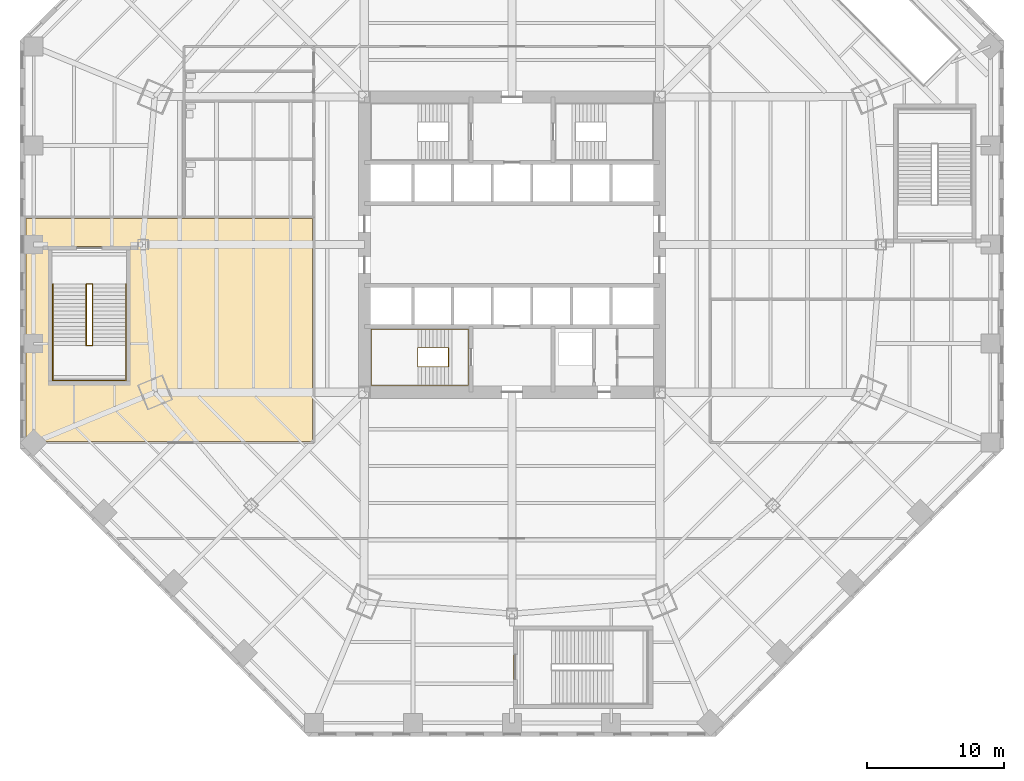
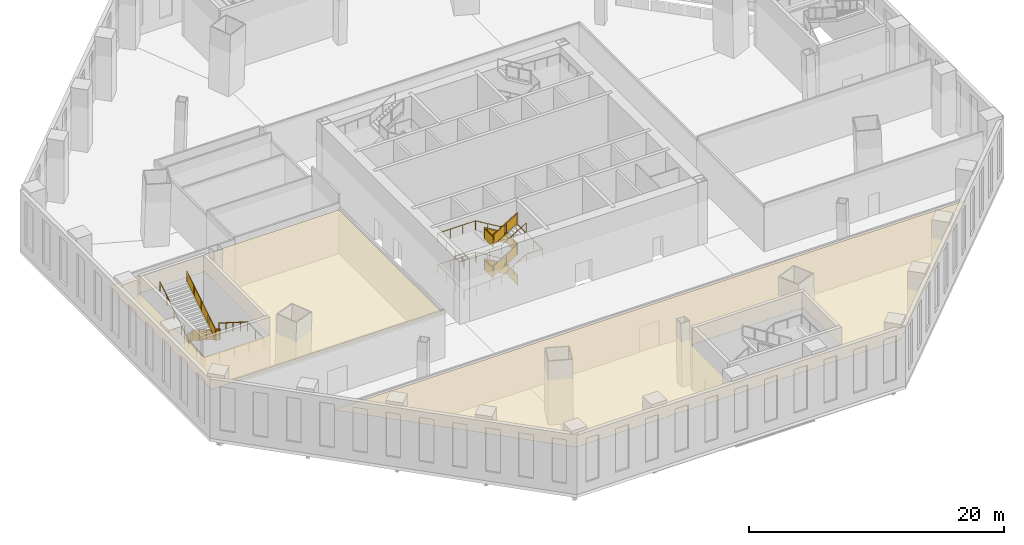
# One storey, part 15 of 20: 4 railings, 2 coverings.
"""IFC4 building model written with IfcOpenShell, lengths in metres."""

from ifc_helpers import new_model, si_unit, direction, frame, origin, origin_2d, place, context, subcontext, project, spatial, polyline, circle, outline, extrude, material, layer, layer_set, type_object, element, save


model = new_model("IFC4")

# Units and contexts
model_context = context("Model", 3, precision=1e-05, world=origin(), true_north=direction((0.0, 1.0)))
body_context = subcontext(model_context, "Body", "Model", "MODEL_VIEW")
ifc_project = project(units=[si_unit("LENGTHUNIT", "METRE"), si_unit("AREAUNIT", "SQUARE_METRE"), si_unit("VOLUMEUNIT", "CUBIC_METRE"), si_unit("PLANEANGLEUNIT", "RADIAN"), si_unit("MASSUNIT", "GRAM", prefix="KILO")], contexts=[model_context])

# Site, building, storey
site_placement = place(None, origin())
site = spatial("IfcSite", under=ifc_project, at=site_placement, CompositionType="ELEMENT")
building_placement = place(site_placement, origin())
building = spatial("IfcBuilding", under=site, at=building_placement, Name="Mashrafa Tower", CompositionType="ELEMENT")
storey_placement = place(building_placement, frame((0.0, 0.0, 7.199951171875)))
storey = spatial("IfcBuildingStorey", under=building, at=storey_placement, Name="L01", CompositionType="ELEMENT", Elevation=7.199951171875)

# Railings
ifc_material_1 = material(Name="Steel guard with glass infill", Category="steel")
railing_type_1 = type_object("IfcRailingType", Name="Stair guard 1100", PredefinedType="GUARDRAIL", material=ifc_material_1)
railing_1_placement = place(storey_placement, frame((-4.64990234375, -8.949951171875, 0.0)))
element("IfcRailing", 1, at=railing_1_placement, inside=storey, type_object=railing_type_1, Name="Stair S3 guard L01", PredefinedType="GUARDRAIL", context=body_context, shape_type="SweptSolid", body=[
    extrude(circle(Radius=0.02392578125, at=origin_2d()), frame((0.0, 0.0, 1.076171875), z_axis=(0.0, 1.0, 0.0), x_axis=(-1.0, 0.0, 0.0)), (0.0, 0.0, 1.0), 1.39990234375),
    extrude(circle(Radius=0.02392578125, at=origin_2d()), frame((0.0, 1.39990234375, 1.076171875), z_axis=(0.0, 0.0, 1.0), x_axis=(1.0, 0.0, 0.0)), (0.0, 0.0, 1.0), 0.166748046875),
    extrude(circle(Radius=0.02392578125, at=origin_2d()), frame((0.0, 1.39990234375, 1.24267578125), z_axis=(-0.859305625298, 0.0, 0.511462454469), x_axis=(0.0, -1.0, 0.0)), (0.0, 0.0, 1.0), 2.606689453125),
    extrude(circle(Radius=0.02392578125, at=origin_2d()), frame((-2.239990234375, 1.39990234375, 2.576171875), z_axis=(0.0, -1.0, 0.0), x_axis=(1.0, 0.0, 0.0)), (0.0, 0.0, 1.0), 1.39990234375),
    extrude(circle(Radius=0.02392578125, at=origin_2d()), frame((-2.239990234375, 0.0, 2.576171875), z_axis=(0.0, 0.0, 1.0), x_axis=(1.0, 0.0, 0.0)), (0.0, 0.0, 1.0), 0.166748046875),
    extrude(circle(Radius=0.02392578125, at=origin_2d()), frame((-2.239990234375, 0.0, 2.74267578125), z_axis=(0.859305625298, 0.0, 0.511462454469), x_axis=(0.0, 1.0, 0.0)), (0.0, 0.0, 1.0), 2.606689453125),
    extrude(circle(Radius=0.02392578125, at=origin_2d()), frame((0.0, 0.0, 4.076171875), z_axis=(0.0, 1.0, 0.0), x_axis=(-1.0, 0.0, 0.0)), (0.0, 0.0, 1.0), 1.39990234375),
    extrude(circle(Radius=0.02392578125, at=origin_2d()), frame((0.0, 1.39990234375, 4.076171875), z_axis=(0.0, 0.0, 1.0), x_axis=(1.0, 0.0, 0.0)), (0.0, 0.0, 1.0), 0.166748046875),
    extrude(circle(Radius=0.02392578125, at=origin_2d()), frame((0.0, 1.39990234375, 4.24267578125), z_axis=(-0.859305625298, 0.0, 0.511462454469), x_axis=(0.0, -1.0, 0.0)), (0.0, 0.0, 1.0), 2.606689453125),
    extrude(circle(Radius=0.02392578125, at=origin_2d()), frame((-2.239990234375, 1.39990234375, 5.576171875), z_axis=(0.0, -1.0, 0.0), x_axis=(1.0, 0.0, 0.0)), (0.0, 0.0, 1.0), 1.39990234375),
    extrude(circle(Radius=0.02392578125, at=origin_2d()), frame((-2.239990234375, 0.0, 5.576171875), z_axis=(0.0, 0.0, 1.0), x_axis=(1.0, 0.0, 0.0)), (0.0, 0.0, 1.0), 0.166748046875),
    extrude(circle(Radius=0.02392578125, at=origin_2d()), frame((-2.239990234375, 0.0, 5.74267578125), z_axis=(0.859305625298, 0.0, 0.511462454469), x_axis=(0.0, 1.0, 0.0)), (0.0, 0.0, 1.0), 2.606689453125),
    extrude(circle(Radius=0.02099609375, at=origin_2d()), origin(), (0.0, 0.0, 1.0), 1.052001953125),
    extrude(circle(Radius=0.02099609375, at=origin_2d()), frame((0.0, 1.39990234375, 0.0)), (0.0, 0.0, 1.0), 1.052001953125),
    extrude(circle(Radius=0.02099609375, at=origin_2d()), frame((0.0, 1.39990234375, 0.166748046875)), (0.0, 0.0, 1.0), 1.052001953125),
    extrude(circle(Radius=0.02099609375, at=origin_2d()), frame((-1.1201171875, 1.39990234375, 0.83349609375)), (0.0, 0.0, 1.0), 1.052001953125),
    extrude(circle(Radius=0.02099609375, at=origin_2d()), frame((-2.239990234375, 1.39990234375, 1.5)), (0.0, 0.0, 1.0), 1.052001953125),
    extrude(circle(Radius=0.02099609375, at=origin_2d()), frame((-2.239990234375, 0.0, 1.5)), (0.0, 0.0, 1.0), 1.052001953125),
    extrude(circle(Radius=0.02099609375, at=origin_2d()), frame((-2.239990234375, 0.0, 1.666748046875)), (0.0, 0.0, 1.0), 1.052001953125),
    extrude(circle(Radius=0.02099609375, at=origin_2d()), frame((-1.1201171875, 0.0, 2.33349609375)), (0.0, 0.0, 1.0), 1.052001953125),
    extrude(circle(Radius=0.02099609375, at=origin_2d()), frame((0.0, 0.0, 3.0)), (0.0, 0.0, 1.0), 1.052001953125),
    extrude(circle(Radius=0.02099609375, at=origin_2d()), frame((0.0, 1.39990234375, 3.0)), (0.0, 0.0, 1.0), 1.052001953125),
    extrude(circle(Radius=0.02099609375, at=origin_2d()), frame((0.0, 1.39990234375, 3.166748046875)), (0.0, 0.0, 1.0), 1.052001953125),
    extrude(circle(Radius=0.02099609375, at=origin_2d()), frame((-1.1201171875, 1.39990234375, 3.83349609375)), (0.0, 0.0, 1.0), 1.052001953125),
    extrude(circle(Radius=0.02099609375, at=origin_2d()), frame((-2.239990234375, 1.39990234375, 4.5)), (0.0, 0.0, 1.0), 1.052001953125),
    extrude(circle(Radius=0.02099609375, at=origin_2d()), frame((-2.239990234375, 0.0, 4.5)), (0.0, 0.0, 1.0), 1.052001953125),
    extrude(circle(Radius=0.02099609375, at=origin_2d()), frame((-2.239990234375, 0.0, 4.666748046875)), (0.0, 0.0, 1.0), 1.052001953125),
    extrude(circle(Radius=0.02099609375, at=origin_2d()), frame((-1.1201171875, 0.0, 5.33349609375)), (0.0, 0.0, 1.0), 1.052001953125),
    extrude(circle(Radius=0.02099609375, at=origin_2d()), frame((0.0, 0.0, 6.0)), (0.0, 0.0, 1.0), 1.052001953125),
    extrude(outline(polyline([(0.071044921875, 0.050048828125), (1.328857421875, 0.050048828125), (1.328857421875, 1.001953125), (0.071044921875, 1.001953125), (0.071044921875, 0.050048828125)])), frame((0.006103515625, 0.0, 0.0), z_axis=(1.0, 0.0, 0.0), x_axis=(0.0, 1.0, 0.0)), (0.0, 0.0, 1.0), 0.011962890625),
    extrude(outline(polyline([(0.071044921875, 0.09228515625), (1.049072265625, 0.67431640625), (1.049072265625, 1.62646484375), (0.071044921875, 1.044189453125), (0.071044921875, 0.09228515625)])), frame((0.0, 1.406005859375, 0.166748046875), z_axis=(0.0, 1.0, 0.0), x_axis=(-1.0, 0.0, 0.0)), (0.0, 0.0, 1.0), 0.011962890625),
    extrude(outline(polyline([(1.19091796875, 0.7587890625), (2.1689453125, 1.341064453125), (2.1689453125, 2.29296875), (1.19091796875, 1.7109375), (1.19091796875, 0.7587890625)])), frame((0.0, 1.406005859375, 0.166748046875), z_axis=(0.0, 1.0, 0.0), x_axis=(-1.0, 0.0, 0.0)), (0.0, 0.0, 1.0), 0.011962890625),
    extrude(outline(polyline([(0.071044921875, 0.050048828125), (1.328857421875, 0.050048828125), (1.328857421875, 1.001953125), (0.071044921875, 1.001953125), (0.071044921875, 0.050048828125)])), frame((-2.24609375, 1.39990234375, 1.5), z_axis=(-1.0, 0.0, 0.0), x_axis=(0.0, -1.0, 0.0)), (0.0, 0.0, 1.0), 0.011962890625),
    extrude(outline(polyline([(0.071044921875, 0.09228515625), (1.049072265625, 0.67431640625), (1.049072265625, 1.62646484375), (0.071044921875, 1.044189453125), (0.071044921875, 0.09228515625)])), frame((-2.239990234375, -0.006103515625, 1.666748046875), z_axis=(0.0, -1.0, 0.0), x_axis=(1.0, 0.0, 0.0)), (0.0, 0.0, 1.0), 0.011962890625),
    extrude(outline(polyline([(1.19091796875, 0.7587890625), (2.1689453125, 1.341064453125), (2.1689453125, 2.29296875), (1.19091796875, 1.7109375), (1.19091796875, 0.7587890625)])), frame((-2.239990234375, -0.006103515625, 1.666748046875), z_axis=(0.0, -1.0, 0.0), x_axis=(1.0, 0.0, 0.0)), (0.0, 0.0, 1.0), 0.011962890625),
    extrude(outline(polyline([(0.071044921875, 0.050048828125), (1.328857421875, 0.050048828125), (1.328857421875, 1.001953125), (0.071044921875, 1.001953125), (0.071044921875, 0.050048828125)])), frame((0.006103515625, 0.0, 3.0), z_axis=(1.0, 0.0, 0.0), x_axis=(0.0, 1.0, 0.0)), (0.0, 0.0, 1.0), 0.011962890625),
    extrude(outline(polyline([(0.071044921875, 0.09228515625), (1.049072265625, 0.67431640625), (1.049072265625, 1.62646484375), (0.071044921875, 1.044189453125), (0.071044921875, 0.09228515625)])), frame((0.0, 1.406005859375, 3.166748046875), z_axis=(0.0, 1.0, 0.0), x_axis=(-1.0, 0.0, 0.0)), (0.0, 0.0, 1.0), 0.011962890625),
    extrude(outline(polyline([(1.19091796875, 0.7587890625), (2.1689453125, 1.341064453125), (2.1689453125, 2.29296875), (1.19091796875, 1.7109375), (1.19091796875, 0.7587890625)])), frame((0.0, 1.406005859375, 3.166748046875), z_axis=(0.0, 1.0, 0.0), x_axis=(-1.0, 0.0, 0.0)), (0.0, 0.0, 1.0), 0.011962890625),
    extrude(outline(polyline([(0.071044921875, 0.050048828125), (1.328857421875, 0.050048828125), (1.328857421875, 1.001953125), (0.071044921875, 1.001953125), (0.071044921875, 0.050048828125)])), frame((-2.24609375, 1.39990234375, 4.5), z_axis=(-1.0, 0.0, 0.0), x_axis=(0.0, -1.0, 0.0)), (0.0, 0.0, 1.0), 0.011962890625),
    extrude(outline(polyline([(0.071044921875, 0.09228515625), (1.049072265625, 0.67431640625), (1.049072265625, 1.62646484375), (0.071044921875, 1.044189453125), (0.071044921875, 0.09228515625)])), frame((-2.239990234375, -0.006103515625, 4.666748046875), z_axis=(0.0, -1.0, 0.0), x_axis=(1.0, 0.0, 0.0)), (0.0, 0.0, 1.0), 0.011962890625),
    extrude(outline(polyline([(1.19091796875, 0.7587890625), (2.1689453125, 1.341064453125), (2.1689453125, 2.29296875), (1.19091796875, 1.7109375), (1.19091796875, 0.7587890625)])), frame((-2.239990234375, -0.006103515625, 4.666748046875), z_axis=(0.0, -1.0, 0.0), x_axis=(1.0, 0.0, 0.0)), (0.0, 0.0, 1.0), 0.011962890625),
])
railing_2_placement = place(storey_placement, frame((-31.14990234375, -2.89990234375, 0.0)))
element("IfcRailing", 2, at=railing_2_placement, inside=storey, type_object=railing_type_1, Name="Stair P3 guard L01", PredefinedType="GUARDRAIL", context=body_context, shape_type="SweptSolid", body=[
    extrude(circle(Radius=0.02392578125, at=origin_2d()), frame((0.0, 0.0, 1.076171875), z_axis=(1.0, 0.0, 0.0), x_axis=(0.0, 1.0, 0.0)), (0.0, 0.0, 1.0), 0.449951171875),
    extrude(circle(Radius=0.02392578125, at=origin_2d()), frame((0.449951171875, 0.0, 1.076171875), z_axis=(0.0, 0.0, 1.0), x_axis=(1.0, 0.0, 0.0)), (0.0, 0.0, 1.0), 0.176513671875),
    extrude(circle(Radius=0.02392578125, at=origin_2d()), frame((0.449951171875, 0.0, 1.25244140625), z_axis=(0.0, -0.845997938375, 0.533186166611), x_axis=(1.0, 0.0, 0.0)), (0.0, 0.0, 1.0), 5.29541015625),
    extrude(circle(Radius=0.02392578125, at=origin_2d()), frame((0.449951171875, -4.47998046875, 4.076171875), z_axis=(-1.0, 0.0, 0.0), x_axis=(0.0, -1.0, 0.0)), (0.0, 0.0, 1.0), 0.449951171875),
    extrude(circle(Radius=0.02392578125, at=origin_2d()), frame((0.0, -4.47998046875, 4.076171875), z_axis=(0.0, 0.0, 1.0), x_axis=(1.0, 0.0, 0.0)), (0.0, 0.0, 1.0), 0.176513671875),
    extrude(circle(Radius=0.02392578125, at=origin_2d()), frame((0.0, -4.47998046875, 4.25244140625), z_axis=(0.0, 0.845997938375, 0.533186166611), x_axis=(-1.0, 0.0, 0.0)), (0.0, 0.0, 1.0), 5.29541015625),
    extrude(circle(Radius=0.02099609375, at=origin_2d()), origin(), (0.0, 0.0, 1.0), 1.052001953125),
    extrude(circle(Radius=0.02099609375, at=origin_2d()), frame((0.449951171875, 0.0, 0.0)), (0.0, 0.0, 1.0), 1.052001953125),
    extrude(circle(Radius=0.02099609375, at=origin_2d()), frame((0.449951171875, 0.0, 0.176513671875)), (0.0, 0.0, 1.0), 1.052001953125),
    extrude(circle(Radius=0.02099609375, at=origin_2d()), frame((0.449951171875, -1.1201171875, 0.88232421875)), (0.0, 0.0, 1.0), 1.052001953125),
    extrude(circle(Radius=0.02099609375, at=origin_2d()), frame((0.449951171875, -2.239990234375, 1.58837890625)), (0.0, 0.0, 1.0), 1.052001953125),
    extrude(circle(Radius=0.02099609375, at=origin_2d()), frame((0.449951171875, -3.35986328125, 2.294189453125)), (0.0, 0.0, 1.0), 1.052001953125),
    extrude(circle(Radius=0.02099609375, at=origin_2d()), frame((0.449951171875, -4.47998046875, 3.0)), (0.0, 0.0, 1.0), 1.052001953125),
    extrude(circle(Radius=0.02099609375, at=origin_2d()), frame((0.0, -4.47998046875, 3.0)), (0.0, 0.0, 1.0), 1.052001953125),
    extrude(circle(Radius=0.02099609375, at=origin_2d()), frame((0.0, -4.47998046875, 3.176513671875)), (0.0, 0.0, 1.0), 1.052001953125),
    extrude(circle(Radius=0.02099609375, at=origin_2d()), frame((0.0, -3.35986328125, 3.88232421875)), (0.0, 0.0, 1.0), 1.052001953125),
    extrude(circle(Radius=0.02099609375, at=origin_2d()), frame((0.0, -2.239990234375, 4.58837890625)), (0.0, 0.0, 1.0), 1.052001953125),
    extrude(circle(Radius=0.02099609375, at=origin_2d()), frame((0.0, -1.1201171875, 5.294189453125)), (0.0, 0.0, 1.0), 1.052001953125),
    extrude(circle(Radius=0.02099609375, at=origin_2d()), frame((0.0, 0.0, 6.0)), (0.0, 0.0, 1.0), 1.052001953125),
    extrude(outline(polyline([(0.071044921875, 0.050048828125), (0.37890625, 0.050048828125), (0.37890625, 1.001953125), (0.071044921875, 1.001953125), (0.071044921875, 0.050048828125)])), frame((0.0, -0.006103515625, 0.0), z_axis=(0.0, -1.0, 0.0), x_axis=(1.0, 0.0, 0.0)), (0.0, 0.0, 1.0), 0.011962890625),
    extrude(outline(polyline([(0.071044921875, 0.0947265625), (1.049072265625, 0.711181640625), (1.049072265625, 1.6630859375), (0.071044921875, 1.046630859375), (0.071044921875, 0.0947265625)])), frame((0.44384765625, 0.0, 0.176513671875), z_axis=(-1.0, 0.0, 0.0), x_axis=(0.0, -1.0, 0.0)), (0.0, 0.0, 1.0), 0.011962890625),
    extrude(outline(polyline([(1.19091796875, 0.800537109375), (2.1689453125, 1.4169921875), (2.1689453125, 2.368896484375), (1.19091796875, 1.752685546875), (1.19091796875, 0.800537109375)])), frame((0.44384765625, 0.0, 0.176513671875), z_axis=(-1.0, 0.0, 0.0), x_axis=(0.0, -1.0, 0.0)), (0.0, 0.0, 1.0), 0.011962890625),
    extrude(outline(polyline([(2.31103515625, 1.506591796875), (3.2890625, 2.122802734375), (3.2890625, 3.074951171875), (2.31103515625, 2.45849609375), (2.31103515625, 1.506591796875)])), frame((0.44384765625, 0.0, 0.176513671875), z_axis=(-1.0, 0.0, 0.0), x_axis=(0.0, -1.0, 0.0)), (0.0, 0.0, 1.0), 0.011962890625),
    extrude(outline(polyline([(3.430908203125, 2.21240234375), (4.408935546875, 2.828857421875), (4.408935546875, 3.78076171875), (3.430908203125, 3.164306640625), (3.430908203125, 2.21240234375)])), frame((0.44384765625, 0.0, 0.176513671875), z_axis=(-1.0, 0.0, 0.0), x_axis=(0.0, -1.0, 0.0)), (0.0, 0.0, 1.0), 0.011962890625),
    extrude(outline(polyline([(0.071044921875, 0.050048828125), (0.37890625, 0.050048828125), (0.37890625, 1.001953125), (0.071044921875, 1.001953125), (0.071044921875, 0.050048828125)])), frame((0.449951171875, -4.473876953125, 3.0), z_axis=(0.0, 1.0, 0.0), x_axis=(-1.0, 0.0, 0.0)), (0.0, 0.0, 1.0), 0.011962890625),
    extrude(outline(polyline([(0.071044921875, 0.0947265625), (1.049072265625, 0.711181640625), (1.049072265625, 1.6630859375), (0.071044921875, 1.046630859375), (0.071044921875, 0.0947265625)])), frame((0.006103515625, -4.47998046875, 3.176513671875), z_axis=(1.0, 0.0, 0.0), x_axis=(0.0, 1.0, 0.0)), (0.0, 0.0, 1.0), 0.011962890625),
    extrude(outline(polyline([(1.19091796875, 0.800537109375), (2.1689453125, 1.4169921875), (2.1689453125, 2.368896484375), (1.19091796875, 1.752685546875), (1.19091796875, 0.800537109375)])), frame((0.006103515625, -4.47998046875, 3.176513671875), z_axis=(1.0, 0.0, 0.0), x_axis=(0.0, 1.0, 0.0)), (0.0, 0.0, 1.0), 0.011962890625),
    extrude(outline(polyline([(2.31103515625, 1.506591796875), (3.2890625, 2.122802734375), (3.2890625, 3.074951171875), (2.31103515625, 2.45849609375), (2.31103515625, 1.506591796875)])), frame((0.006103515625, -4.47998046875, 3.176513671875), z_axis=(1.0, 0.0, 0.0), x_axis=(0.0, 1.0, 0.0)), (0.0, 0.0, 1.0), 0.011962890625),
    extrude(outline(polyline([(3.430908203125, 2.21240234375), (4.408935546875, 2.828857421875), (4.408935546875, 3.78076171875), (3.430908203125, 3.164306640625), (3.430908203125, 2.21240234375)])), frame((0.006103515625, -4.47998046875, 3.176513671875), z_axis=(1.0, 0.0, 0.0), x_axis=(0.0, 1.0, 0.0)), (0.0, 0.0, 1.0), 0.011962890625),
])
ifc_material_2 = material(Name="Steel", Category="steel")
railing_type_2 = type_object("IfcRailingType", Name="Stair handrail 900", PredefinedType="HANDRAIL", material=ifc_material_2)
railing_3_placement = place(storey_placement, frame((-4.64990234375, -6.199951171875, 0.166748046875)))
element("IfcRailing", 3, at=railing_3_placement, inside=storey, type_object=railing_type_2, Name="Stair S3 handrail L01", PredefinedType="HANDRAIL", context=body_context, shape_type="SweptSolid", body=[
    extrude(circle(Radius=0.02392578125, at=origin_2d()), frame((0.0, 0.0, 0.8759765625), z_axis=(-0.859305625298, 0.0, 0.511462454469), x_axis=(0.0, -1.0, 0.0)), (0.0, 0.0, 1.0), 2.606689453125),
    extrude(circle(Radius=0.02392578125, at=origin_2d()), frame((-2.239990234375, 0.0, 2.208984375), z_axis=(-1.0, 0.0, 0.0), x_axis=(0.0, -1.0, 0.0)), (0.0, 0.0, 1.0), 3.41015625),
    extrude(circle(Radius=0.02392578125, at=origin_2d()), frame((-5.650146484375, 0.0, 2.208984375), z_axis=(0.0, -1.0, 0.0), x_axis=(1.0, 0.0, 0.0)), (0.0, 0.0, 1.0), 4.10009765625),
    extrude(circle(Radius=0.02392578125, at=origin_2d()), frame((-5.650146484375, -4.10009765625, 2.208984375), z_axis=(0.99880665773, 0.0, 0.048839128524), x_axis=(0.0, 1.0, 0.0)), (0.0, 0.0, 1.0), 3.414306640625),
    extrude(circle(Radius=0.02392578125, at=origin_2d()), frame((-2.239990234375, -4.10009765625, 2.3759765625), z_axis=(0.859305625298, 0.0, 0.511462454469), x_axis=(0.0, 1.0, 0.0)), (0.0, 0.0, 1.0), 2.606689453125),
    extrude(circle(Radius=0.02392578125, at=origin_2d()), frame((0.0, -4.10009765625, 3.708984375), z_axis=(1.0, 0.0, 0.0), x_axis=(0.0, 1.0, 0.0)), (0.0, 0.0, 1.0), 1.449951171875),
    extrude(circle(Radius=0.02392578125, at=origin_2d()), frame((1.449951171875, -4.10009765625, 3.708984375), z_axis=(0.0, 1.0, 0.0), x_axis=(-1.0, 0.0, 0.0)), (0.0, 0.0, 1.0), 4.10009765625),
    extrude(circle(Radius=0.02392578125, at=origin_2d()), frame((1.449951171875, 0.0, 3.708984375), z_axis=(-0.993452088381, 0.0, 0.114249499304), x_axis=(0.0, -1.0, 0.0)), (0.0, 0.0, 1.0), 1.45947265625),
    extrude(circle(Radius=0.02392578125, at=origin_2d()), frame((0.0, 0.0, 3.8759765625), z_axis=(-0.859305625298, 0.0, 0.511462454469), x_axis=(0.0, -1.0, 0.0)), (0.0, 0.0, 1.0), 2.606689453125),
    extrude(circle(Radius=0.02392578125, at=origin_2d()), frame((-2.239990234375, 0.0, 5.208984375), z_axis=(-1.0, 0.0, 0.0), x_axis=(0.0, -1.0, 0.0)), (0.0, 0.0, 1.0), 3.41015625),
    extrude(circle(Radius=0.02392578125, at=origin_2d()), frame((-5.650146484375, 0.0, 5.208984375), z_axis=(0.0, -1.0, 0.0), x_axis=(1.0, 0.0, 0.0)), (0.0, 0.0, 1.0), 4.10009765625),
    extrude(circle(Radius=0.02392578125, at=origin_2d()), frame((-5.650146484375, -4.10009765625, 5.208984375), z_axis=(0.99880665773, 0.0, 0.048839128524), x_axis=(0.0, 1.0, 0.0)), (0.0, 0.0, 1.0), 3.414306640625),
    extrude(circle(Radius=0.02392578125, at=origin_2d()), frame((-2.239990234375, -4.10009765625, 5.3759765625), z_axis=(0.859305625298, 0.0, 0.511462454469), x_axis=(0.0, 1.0, 0.0)), (0.0, 0.0, 1.0), 2.606689453125),
    extrude(circle(Radius=0.02099609375, at=origin_2d()), origin(), (0.0, 0.0, 1.0), 0.851806640625),
    extrude(circle(Radius=0.02099609375, at=origin_2d()), frame((-1.1201171875, 0.0, 0.66650390625)), (0.0, 0.0, 1.0), 0.851806640625),
    extrude(circle(Radius=0.02099609375, at=origin_2d()), frame((-2.239990234375, 0.0, 1.333251953125)), (0.0, 0.0, 1.0), 0.851806640625),
    extrude(circle(Radius=0.02099609375, at=origin_2d()), frame((-3.376708984375, 0.0, 1.333251953125)), (0.0, 0.0, 1.0), 0.851806640625),
    extrude(circle(Radius=0.02099609375, at=origin_2d()), frame((-4.513427734375, 0.0, 1.333251953125)), (0.0, 0.0, 1.0), 0.851806640625),
    extrude(circle(Radius=0.02099609375, at=origin_2d()), frame((-5.650146484375, 0.0, 1.333251953125)), (0.0, 0.0, 1.0), 0.851806640625),
    extrude(circle(Radius=0.02099609375, at=origin_2d()), frame((-5.650146484375, -1.36669921875, 1.333251953125)), (0.0, 0.0, 1.0), 0.851806640625),
    extrude(circle(Radius=0.02099609375, at=origin_2d()), frame((-5.650146484375, -2.7333984375, 1.333251953125)), (0.0, 0.0, 1.0), 0.851806640625),
    extrude(circle(Radius=0.02099609375, at=origin_2d()), frame((-5.650146484375, -4.10009765625, 1.333251953125)), (0.0, 0.0, 1.0), 0.851806640625),
    extrude(circle(Radius=0.02099609375, at=origin_2d()), frame((-4.513427734375, -4.10009765625, 1.388916015625)), (0.0, 0.0, 1.0), 0.851806640625),
    extrude(circle(Radius=0.02099609375, at=origin_2d()), frame((-3.376708984375, -4.10009765625, 1.4443359375)), (0.0, 0.0, 1.0), 0.851806640625),
    extrude(circle(Radius=0.02099609375, at=origin_2d()), frame((-2.239990234375, -4.10009765625, 1.5)), (0.0, 0.0, 1.0), 0.851806640625),
    extrude(circle(Radius=0.02099609375, at=origin_2d()), frame((-1.1201171875, -4.10009765625, 2.16650390625)), (0.0, 0.0, 1.0), 0.851806640625),
    extrude(circle(Radius=0.02099609375, at=origin_2d()), frame((0.0, -4.10009765625, 2.833251953125)), (0.0, 0.0, 1.0), 0.851806640625),
    extrude(circle(Radius=0.02099609375, at=origin_2d()), frame((1.449951171875, -4.10009765625, 2.833251953125)), (0.0, 0.0, 1.0), 0.851806640625),
    extrude(circle(Radius=0.02099609375, at=origin_2d()), frame((1.449951171875, -2.7333984375, 2.833251953125)), (0.0, 0.0, 1.0), 0.851806640625),
    extrude(circle(Radius=0.02099609375, at=origin_2d()), frame((1.449951171875, -1.36669921875, 2.833251953125)), (0.0, 0.0, 1.0), 0.851806640625),
    extrude(circle(Radius=0.02099609375, at=origin_2d()), frame((1.449951171875, 0.0, 2.833251953125)), (0.0, 0.0, 1.0), 0.851806640625),
    extrude(circle(Radius=0.02099609375, at=origin_2d()), frame((0.0, 0.0, 3.0)), (0.0, 0.0, 1.0), 0.851806640625),
    extrude(circle(Radius=0.02099609375, at=origin_2d()), frame((-1.1201171875, 0.0, 3.66650390625)), (0.0, 0.0, 1.0), 0.851806640625),
    extrude(circle(Radius=0.02099609375, at=origin_2d()), frame((-2.239990234375, 0.0, 4.333251953125)), (0.0, 0.0, 1.0), 0.851806640625),
    extrude(circle(Radius=0.02099609375, at=origin_2d()), frame((-3.376708984375, 0.0, 4.333251953125)), (0.0, 0.0, 1.0), 0.851806640625),
    extrude(circle(Radius=0.02099609375, at=origin_2d()), frame((-4.513427734375, 0.0, 4.333251953125)), (0.0, 0.0, 1.0), 0.851806640625),
    extrude(circle(Radius=0.02099609375, at=origin_2d()), frame((-5.650146484375, 0.0, 4.333251953125)), (0.0, 0.0, 1.0), 0.851806640625),
    extrude(circle(Radius=0.02099609375, at=origin_2d()), frame((-5.650146484375, -1.36669921875, 4.333251953125)), (0.0, 0.0, 1.0), 0.851806640625),
    extrude(circle(Radius=0.02099609375, at=origin_2d()), frame((-5.650146484375, -2.7333984375, 4.333251953125)), (0.0, 0.0, 1.0), 0.851806640625),
    extrude(circle(Radius=0.02099609375, at=origin_2d()), frame((-5.650146484375, -4.10009765625, 4.333251953125)), (0.0, 0.0, 1.0), 0.851806640625),
    extrude(circle(Radius=0.02099609375, at=origin_2d()), frame((-4.513427734375, -4.10009765625, 4.388916015625)), (0.0, 0.0, 1.0), 0.851806640625),
    extrude(circle(Radius=0.02099609375, at=origin_2d()), frame((-3.376708984375, -4.10009765625, 4.4443359375)), (0.0, 0.0, 1.0), 0.851806640625),
    extrude(circle(Radius=0.02099609375, at=origin_2d()), frame((-2.239990234375, -4.10009765625, 4.5)), (0.0, 0.0, 1.0), 0.851806640625),
    extrude(circle(Radius=0.02099609375, at=origin_2d()), frame((-1.1201171875, -4.10009765625, 5.16650390625)), (0.0, 0.0, 1.0), 0.851806640625),
    extrude(circle(Radius=0.02099609375, at=origin_2d()), frame((0.0, -4.10009765625, 5.833251953125)), (0.0, 0.0, 1.0), 0.851806640625),
])
railing_4_placement = place(storey_placement, frame((-28.25, -2.89990234375, 0.176513671875)))
element("IfcRailing", 4, at=railing_4_placement, inside=storey, type_object=railing_type_2, Name="Stair P3 handrail L01", PredefinedType="HANDRAIL", context=body_context, shape_type="SweptSolid", body=[
    extrude(circle(Radius=0.02392578125, at=origin_2d()), frame((0.0, 0.0, 0.8759765625), z_axis=(0.0, -0.845997938375, 0.533186166611), x_axis=(1.0, 0.0, 0.0)), (0.0, 0.0, 1.0), 5.29541015625),
    extrude(circle(Radius=0.02392578125, at=origin_2d()), frame((0.0, -4.47998046875, 3.69921875), z_axis=(0.0, -1.0, 0.0), x_axis=(1.0, 0.0, 0.0)), (0.0, 0.0, 1.0), 2.570068359375),
    extrude(circle(Radius=0.02392578125, at=origin_2d()), frame((0.0, -7.050048828125, 3.69921875), z_axis=(-1.0, 0.0, 0.0), x_axis=(0.0, -1.0, 0.0)), (0.0, 0.0, 1.0), 5.35009765625),
    extrude(circle(Radius=0.02392578125, at=origin_2d()), frame((-5.35009765625, -7.050048828125, 3.69921875), z_axis=(0.0, 0.99764980318, 0.068519122988), x_axis=(-1.0, 0.0, 0.0)), (0.0, 0.0, 1.0), 2.576171875),
    extrude(circle(Radius=0.02392578125, at=origin_2d()), frame((-5.35009765625, -4.47998046875, 3.8759765625), z_axis=(0.0, 0.845997938375, 0.533186166611), x_axis=(-1.0, 0.0, 0.0)), (0.0, 0.0, 1.0), 5.29541015625),
    extrude(circle(Radius=0.02099609375, at=origin_2d()), origin(), (0.0, 0.0, 1.0), 0.851806640625),
    extrude(circle(Radius=0.02099609375, at=origin_2d()), frame((0.0, -1.1201171875, 0.705810546875)), (0.0, 0.0, 1.0), 0.851806640625),
    extrude(circle(Radius=0.02099609375, at=origin_2d()), frame((0.0, -2.239990234375, 1.41162109375)), (0.0, 0.0, 1.0), 0.851806640625),
    extrude(circle(Radius=0.02099609375, at=origin_2d()), frame((0.0, -3.35986328125, 2.11767578125)), (0.0, 0.0, 1.0), 0.851806640625),
    extrude(circle(Radius=0.02099609375, at=origin_2d()), frame((0.0, -4.47998046875, 2.823486328125)), (0.0, 0.0, 1.0), 0.851806640625),
    extrude(circle(Radius=0.02099609375, at=origin_2d()), frame((0.0, -5.76513671875, 2.823486328125)), (0.0, 0.0, 1.0), 0.851806640625),
    extrude(circle(Radius=0.02099609375, at=origin_2d()), frame((0.0, -7.050048828125, 2.823486328125)), (0.0, 0.0, 1.0), 0.851806640625),
    extrude(circle(Radius=0.02099609375, at=origin_2d()), frame((-1.33740234375, -7.050048828125, 2.823486328125)), (0.0, 0.0, 1.0), 0.851806640625),
    extrude(circle(Radius=0.02099609375, at=origin_2d()), frame((-2.675048828125, -7.050048828125, 2.823486328125)), (0.0, 0.0, 1.0), 0.851806640625),
    extrude(circle(Radius=0.02099609375, at=origin_2d()), frame((-4.0126953125, -7.050048828125, 2.823486328125)), (0.0, 0.0, 1.0), 0.851806640625),
    extrude(circle(Radius=0.02099609375, at=origin_2d()), frame((-5.35009765625, -7.050048828125, 2.823486328125)), (0.0, 0.0, 1.0), 0.851806640625),
    extrude(circle(Radius=0.02099609375, at=origin_2d()), frame((-5.35009765625, -5.76513671875, 2.91162109375)), (0.0, 0.0, 1.0), 0.851806640625),
    extrude(circle(Radius=0.02099609375, at=origin_2d()), frame((-5.35009765625, -4.47998046875, 3.0)), (0.0, 0.0, 1.0), 0.851806640625),
    extrude(circle(Radius=0.02099609375, at=origin_2d()), frame((-5.35009765625, -3.35986328125, 3.705810546875)), (0.0, 0.0, 1.0), 0.851806640625),
    extrude(circle(Radius=0.02099609375, at=origin_2d()), frame((-5.35009765625, -2.239990234375, 4.41162109375)), (0.0, 0.0, 1.0), 0.851806640625),
    extrude(circle(Radius=0.02099609375, at=origin_2d()), frame((-5.35009765625, -1.1201171875, 5.11767578125)), (0.0, 0.0, 1.0), 0.851806640625),
    extrude(circle(Radius=0.02099609375, at=origin_2d()), frame((-5.35009765625, 0.0, 5.823486328125)), (0.0, 0.0, 1.0), 0.851806640625),
])

# Coverings
ifc_material_3 = material(Name="Mineral fibre tile on suspension grid")
ifc_layer = layer(ifc_material_3, 0.014892578125)
ifc_layer_set = layer_set([ifc_layer], Name="Suspended ceiling mineral tile 15")
covering_type = type_object("IfcCoveringType", Name="Suspended ceiling mineral tile 15", PredefinedType="CEILING", material=ifc_layer_set)
covering_1_placement = place(storey_placement, frame((0.0, 0.0, 4.199951171875)))
element("IfcCovering", 5, at=covering_1_placement, inside=storey, type_object=covering_type, Name="Ceiling Exhibition Workshop L01", PredefinedType="CEILING", context=body_context, shape_type="SweptSolid", body=[
    extrude(outline(polyline([(-14.60009765625, -14.39990234375), (-35.550048828125, -14.39990234375), (-35.550048828125, 1.89990234375), (-14.60009765625, 1.89990234375), (-14.60009765625, -14.39990234375)]), holes=[polyline([(-33.89990234375, -0.14990234375), (-33.89990234375, -10.25), (-27.949951171875, -10.25), (-27.949951171875, -0.14990234375), (-33.89990234375, -0.14990234375)])]), origin(), (0.0, 0.0, 1.0), 0.01513671875),
])
covering_2_placement = place(storey_placement, frame((0.0, 0.0, 4.199951171875)))
element("IfcCovering", 6, at=covering_2_placement, inside=storey, type_object=covering_type, Name="Ceiling Exhibition Lecture Room L01", PredefinedType="CEILING", context=body_context, shape_type="SweptSolid", body=[
    extrude(outline(polyline([(14.725341796875, -35.550048828125), (-14.725341796875, -35.550048828125), (-28.67529296875, -21.60009765625), (28.67529296875, -21.60009765625), (14.725341796875, -35.550048828125)]), holes=[polyline([(10.25, -33.89990234375), (10.25, -27.949951171875), (0.14990234375, -27.949951171875), (0.14990234375, -33.89990234375), (10.25, -33.89990234375)])]), origin(), (0.0, 0.0, 1.0), 0.01513671875),
])

save(model, "model.ifc")
